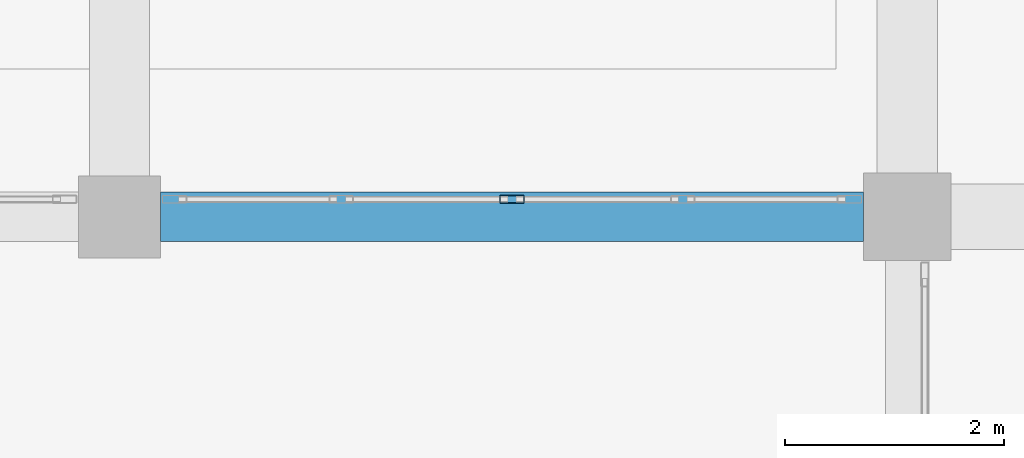
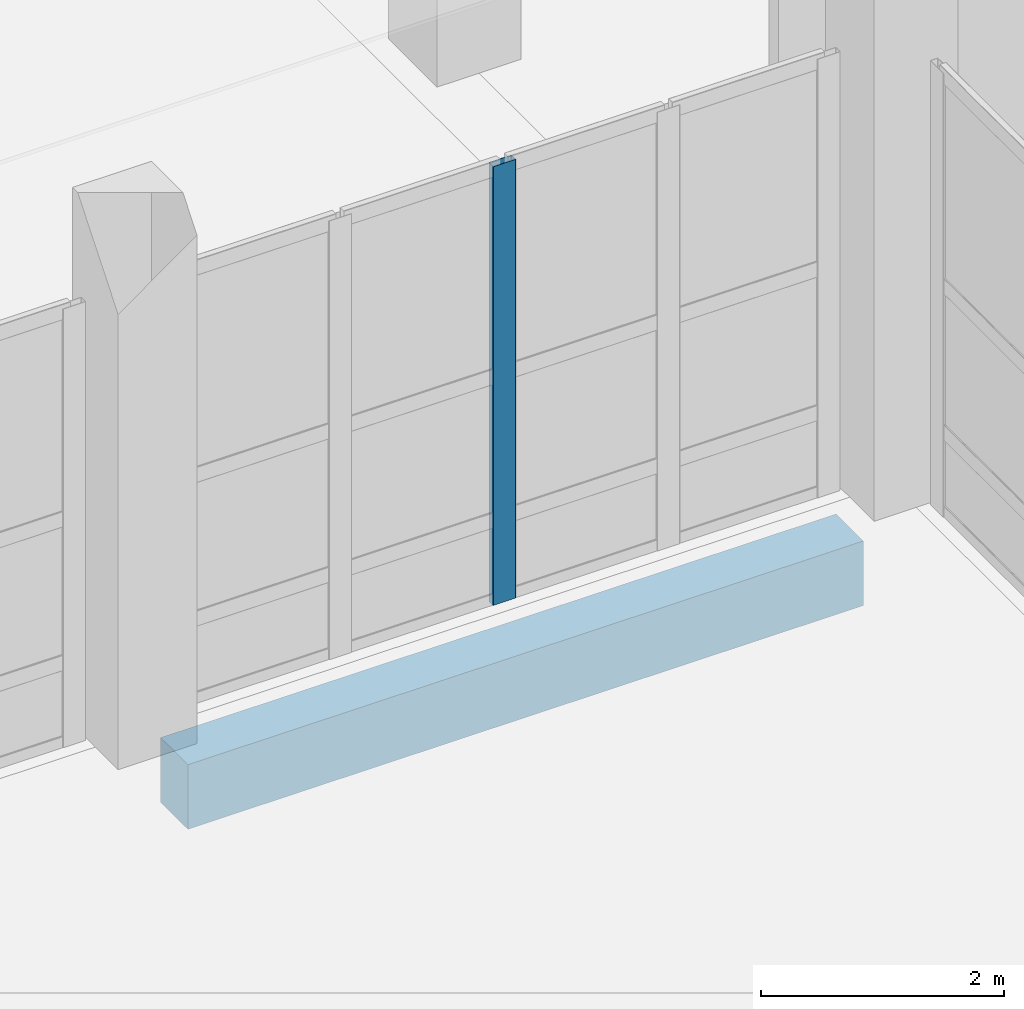
# One storey, part 32 of 137: 1 beam, 1 member, 1 element without a shape of its own.
"""IFC4 building model written with IfcOpenShell, lengths in metres."""

from ifc_helpers import new_model, si_unit, direction, frame, origin, origin_2d, place, context, subcontext, project, spatial, rectangle, hollow_rectangle, extrude, material, material_profile, profile_set, type_object, element, aggregate, save


model = new_model("IFC4")

# Units and contexts
model_context = context("Model", 3, precision=1e-05, world=origin(), true_north=direction((0.0, 1.0)))
body_context = subcontext(model_context, "Body", "Model", "MODEL_VIEW")
ifc_project = project(units=[si_unit("LENGTHUNIT", "METRE"), si_unit("AREAUNIT", "SQUARE_METRE"), si_unit("VOLUMEUNIT", "CUBIC_METRE"), si_unit("PLANEANGLEUNIT", "RADIAN"), si_unit("MASSUNIT", "GRAM", prefix="KILO")], contexts=[model_context])

# Site, building, storey
site_placement = place(None, origin())
site = spatial("IfcSite", under=ifc_project, at=site_placement, CompositionType="ELEMENT")
building_placement = place(site_placement, origin())
building = spatial("IfcBuilding", under=site, at=building_placement, Name="Kalmorath City Hall", CompositionType="ELEMENT")
storey_placement = place(building_placement, origin())
storey = spatial("IfcBuildingStorey", under=building, at=storey_placement, Name="L00", CompositionType="ELEMENT", Elevation=0.0)

# Beam
ifc_material_1 = material(Name="Concrete C40/50", Category="concrete")
ifc_material_profile_1 = material_profile(ifc_material_1, rectangle(XDim=0.449951171875, YDim=0.64990234375, at=origin_2d()), Name="RC-BM-450X650")
ifc_profile_set_1 = profile_set([ifc_material_profile_1], Name="Concrete C40/50")
beam_type = type_object("IfcBeamType", Name="Concrete spandrel beam 450x650", PredefinedType="SPANDREL", material=ifc_profile_set_1)
beam_placement = place(storey_placement, frame((108.375, 21.60009765625, -0.62890625), z_axis=(1.0, 0.0, 0.0), x_axis=(0.0, 1.0, 0.0)))
element("IfcBeam", 1, at=beam_placement, inside=storey, type_object=beam_type, Name="L00 girder CB5 X16-17/4", PredefinedType="SPANDREL", context=body_context, shape_type="SweptSolid", body=[
    extrude(rectangle(XDim=0.449951171875, YDim=0.64990234375, at=origin_2d()), origin(), (0.0, 0.0, 1.0), 6.425048828125),
])

# Curtain wall, member
ifc_material_2 = material(Name="Anodised aluminium and laminated glass", Category="aluminium")
curtain_wall_type = type_object("IfcCurtainWallType", Name="Unitised hurricane curtain wall 6245x4411 M1500", PredefinedType="NOTDEFINED", material=ifc_material_2)
curtain_wall_placement = place(storey_placement, origin())
curtain_wall = element("IfcCurtainWall", 2, at=curtain_wall_placement, inside=storey, type_object=curtain_wall_type, Name="L00 curtain wall CW-62X44M15 #18", PredefinedType="NOTDEFINED")
ifc_material_3 = material(Name="Anodised aluminium framing", Category="aluminium")
ifc_material_profile_2 = material_profile(ifc_material_3, hollow_rectangle(XDim=0.074951171875, YDim=0.219970703125, WallThickness=0.00390625, InnerFilletRadius=0.00390625, OuterFilletRadius=0.008056640625, at=origin_2d()), Name="ALU-MUL-220X75X4")
ifc_profile_set_2 = profile_set([ifc_material_profile_2], Name="Anodised aluminium framing")
member_type = type_object("IfcMemberType", Name="Curtain-wall primary mullion 220x75", PredefinedType="MULLION", material=ifc_profile_set_2)
member_placement = place(storey_placement, frame((111.58740234375, 21.760009765625, 0.0), z_axis=(0.0, 0.0, 1.0), x_axis=(0.0, -1.0, 0.0)))
member = element("IfcMember", 3, at=member_placement, type_object=member_type, Name="CW-62X44M15 mullion 3", PredefinedType="MULLION", context=body_context, shape_type="SweptSolid", body=[
    extrude(hollow_rectangle(XDim=0.074951171875, YDim=0.219970703125, WallThickness=0.00390625, InnerFilletRadius=0.00390625, OuterFilletRadius=0.008056640625, at=origin_2d()), origin(), (0.0, 0.0, 1.0), 4.410888671875),
])
aggregate(curtain_wall, [member])

save(model, "model.ifc")
